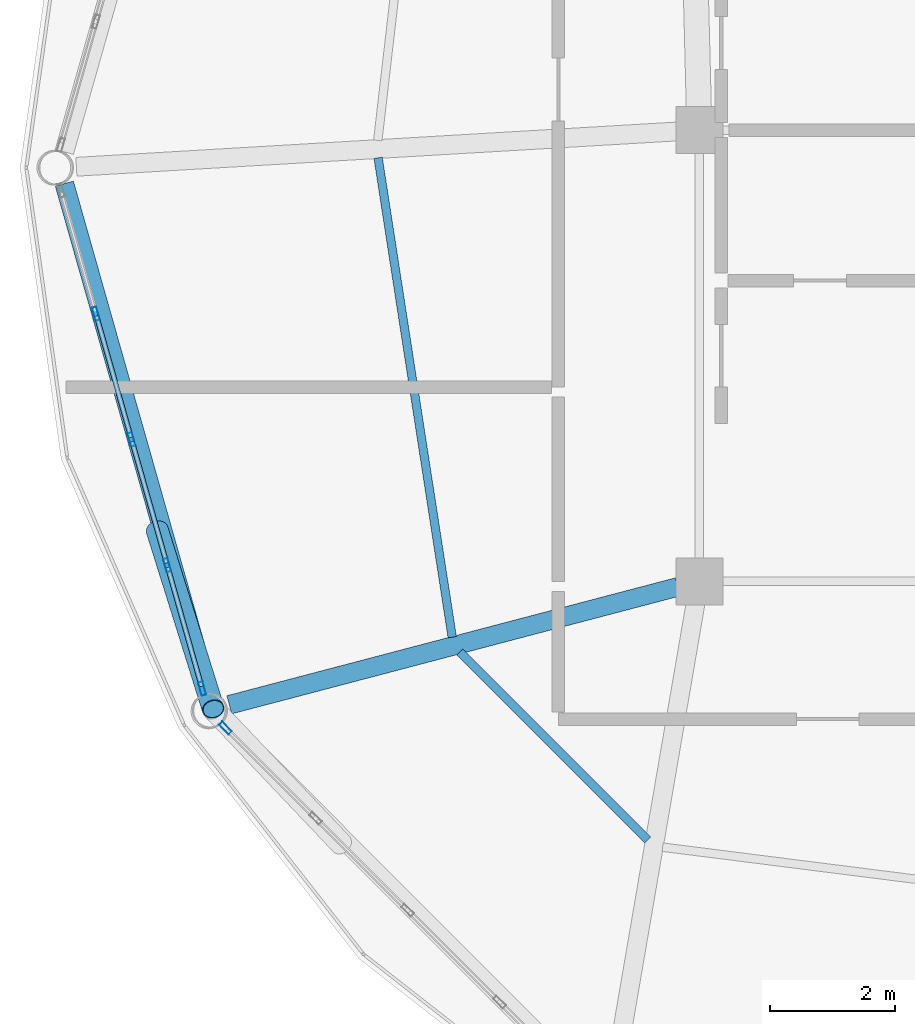
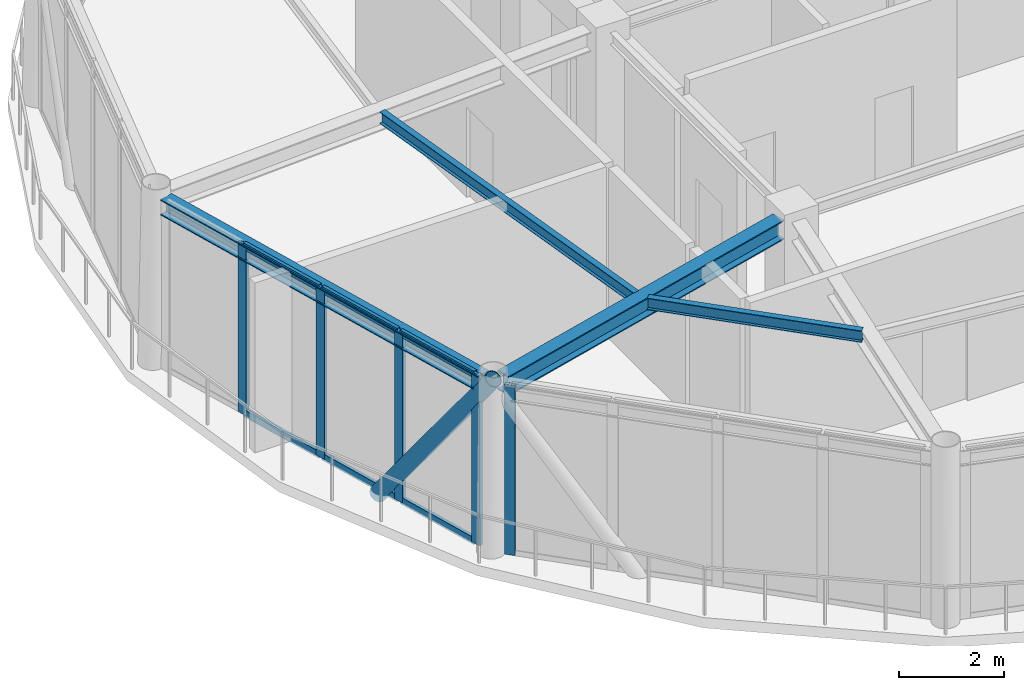
# One storey, part 3 of 20: 12 members, 4 beams, 2 elements without a shape of their own.
"""IFC4 building model written with IfcOpenShell, lengths in metres."""

from ifc_helpers import new_model, si_unit, direction, frame, origin, origin_2d, place, context, subcontext, project, spatial, hollow_rectangle, hollow_circle, i_section, extrude, material, layer, layer_set, material_profile, profile_set, type_object, element, aggregate, save


model = new_model("IFC4")

# Units and contexts
model_context = context("Model", 3, precision=1e-05, world=origin(), true_north=direction((0.0, 1.0)))
body_context = subcontext(model_context, "Body", "Model", "MODEL_VIEW")
ifc_project = project(units=[si_unit("LENGTHUNIT", "METRE"), si_unit("AREAUNIT", "SQUARE_METRE"), si_unit("VOLUMEUNIT", "CUBIC_METRE"), si_unit("PLANEANGLEUNIT", "RADIAN"), si_unit("MASSUNIT", "GRAM", prefix="KILO")], contexts=[model_context])

# Site, building, storey
site_placement = place(None, origin())
site = spatial("IfcSite", under=ifc_project, at=site_placement, CompositionType="ELEMENT")
building_placement = place(site_placement, origin())
building = spatial("IfcBuilding", under=site, at=building_placement, Name="Varnakorn Sky Granary", CompositionType="ELEMENT")
storey_placement = place(building_placement, frame((0.0, 0.0, 302.39990234375)))
storey = spatial("IfcBuildingStorey", under=building, at=storey_placement, Name="L77", CompositionType="ELEMENT", Elevation=302.39990234375)

# Beams
ifc_material_1 = material(Name="Steel S355JR", Category="steel")
ifc_material_profile_1 = material_profile(ifc_material_1, i_section(OverallWidth=0.300048828125, OverallDepth=0.449951171875, WebThickness=0.013916015625, FlangeThickness=0.02587890625, at=origin_2d()), Name="HE 450 B")
ifc_profile_set_1 = profile_set([ifc_material_profile_1], Name="Steel S355JR")
beam_type_1 = type_object("IfcBeamType", Name="BM-RAD-Z5", PredefinedType="BEAM", material=ifc_profile_set_1)
beam_1_placement = place(storey_placement, frame((-2.693359375, -6.690185546875, 3.735107421875), z_axis=(-0.967136030143, -0.254259511522, 0.0), x_axis=(0.254259511522, -0.967136030143, 0.0)))
element("IfcBeam", 1, at=beam_1_placement, inside=storey, type_object=beam_type_1, Name="Radial Floor Girder RG08 L77", PredefinedType="BEAM", context=body_context, shape_type="SweptSolid", body=[
    extrude(i_section(OverallWidth=0.300048828125, OverallDepth=0.449951171875, WebThickness=0.013916015625, FlangeThickness=0.02587890625, at=origin_2d()), origin(), (0.0, 0.0, 1.0), 7.402099609375),
])
ifc_material_profile_2 = material_profile(ifc_material_1, i_section(OverallWidth=0.135009765625, OverallDepth=0.27001953125, WebThickness=0.006591796875, FlangeThickness=0.01025390625, at=origin_2d()), Name="IPE 270")
ifc_profile_set_2 = profile_set([ifc_material_profile_2], Name="Steel S355JR")
beam_type_2 = type_object("IfcBeamType", Name="BM-SEC-Z5", PredefinedType="BEAM", material=ifc_profile_set_2)
beam_2_placement = place(storey_placement, frame((-7.477294921875, 0.158935546875, 3.8251953125), z_axis=(0.152801136267, -0.988256956847, 0.0), x_axis=(0.988256956847, 0.152801136267, 0.0)))
element("IfcBeam", 2, at=beam_2_placement, inside=storey, type_object=beam_type_2, Name="Secondary Floor Chord Beam MSB07 L77", PredefinedType="BEAM", context=body_context, shape_type="SweptSolid", body=[
    extrude(i_section(OverallWidth=0.135009765625, OverallDepth=0.27001953125, WebThickness=0.006591796875, FlangeThickness=0.01025390625, at=origin_2d()), origin(), (0.0, 0.0, 1.0), 7.74267578125),
])
beam_3_placement = place(storey_placement, frame((-6.173583984375, -7.730224609375, 3.8251953125), z_axis=(0.707250715634, -0.706962817435, 0.0), x_axis=(0.706962817435, 0.707250715634, 0.0)))
element("IfcBeam", 3, at=beam_3_placement, inside=storey, type_object=beam_type_2, Name="Secondary Floor Chord Beam MSB08 L77", PredefinedType="BEAM", context=body_context, shape_type="SweptSolid", body=[
    extrude(i_section(OverallWidth=0.135009765625, OverallDepth=0.27001953125, WebThickness=0.006591796875, FlangeThickness=0.01025390625, at=origin_2d()), origin(), (0.0, 0.0, 1.0), 4.239990234375),
])
ifc_material_profile_3 = material_profile(ifc_material_1, i_section(OverallWidth=0.300048828125, OverallDepth=0.360107421875, WebThickness=0.012451171875, FlangeThickness=0.0224609375, at=origin_2d()), Name="HE 360 B")
ifc_profile_set_3 = profile_set([ifc_material_profile_3], Name="Steel S355JR")
beam_type_3 = type_object("IfcBeamType", Name="BM-SPD-Z5", PredefinedType="SPANDREL", material=ifc_profile_set_3)
beam_4_placement = place(storey_placement, frame((-12.48486328125, -0.25439453125, 3.780029296875), z_axis=(0.272713551322, -0.962095275389, 0.0), x_axis=(0.962095275389, 0.272713551322, 0.0)))
element("IfcBeam", 4, at=beam_4_placement, inside=storey, type_object=beam_type_3, Name="Perimeter Spandrel Ring Beam RB07 L77", PredefinedType="SPANDREL", context=body_context, shape_type="SweptSolid", body=[
    extrude(i_section(OverallWidth=0.300048828125, OverallDepth=0.360107421875, WebThickness=0.012451171875, FlangeThickness=0.0224609375, at=origin_2d()), origin(), (0.0, 0.0, 1.0), 8.450927734375),
])

# Curtain wall, members
ifc_material_2 = material(Name="Anodised Bronze Aluminium Alloy 6063-T6", Category="aluminium")
ifc_layer = layer(ifc_material_2, 0.22998046875, Name="Anodised Bronze Aluminium Alloy 6063-T6")
ifc_layer_set = layer_set([ifc_layer], Name="Anodised Bronze Aluminium Alloy 6063-T6")
curtain_wall_type = type_object("IfcCurtainWallType", Name="CW-LNT-1", PredefinedType="USERDEFINED", material=ifc_layer_set)
curtain_wall_1_placement = place(storey_placement, origin())
curtain_wall_1 = element("IfcCurtainWall", 5, at=curtain_wall_1_placement, inside=storey, type_object=curtain_wall_type, Name="Unitised Curtain Wall CW7 CW-L77-B07", ObjectType="CURTAIN WALL", PredefinedType="USERDEFINED")
ifc_material_profile_4 = material_profile(ifc_material_2, hollow_rectangle(XDim=0.074951171875, YDim=0.219970703125, WallThickness=0.00390625, at=origin_2d()), Name="ALU MULL 75x220")
ifc_profile_set_4 = profile_set([ifc_material_profile_4], Name="Anodised Bronze Aluminium Alloy 6063-T6")
member_type_1 = type_object("IfcMemberType", Name="CW-LNT-1-MULL", PredefinedType="MULLION", material=ifc_profile_set_4)
member_1_placement = place(storey_placement, frame((-10.285400390625, -8.312744140625, 0.0), z_axis=(0.0, 0.0, 1.0), x_axis=(-0.962053878188, -0.272859552634, 0.0)))
member_1 = element("IfcMember", 6, at=member_1_placement, type_object=member_type_1, Name="CW7 mullion 1", PredefinedType="MULLION", context=body_context, shape_type="SweptSolid", body=[
    extrude(hollow_rectangle(XDim=0.074951171875, YDim=0.219970703125, WallThickness=0.00390625, at=origin_2d()), origin(), (0.0, 0.0, 1.0), 3.960205078125),
])
member_2_placement = place(storey_placement, frame((-10.843994140625, -6.34326171875, 0.0), z_axis=(0.0, 0.0, 1.0), x_axis=(-0.962053878188, -0.272859552634, 0.0)))
member_2 = element("IfcMember", 7, at=member_2_placement, type_object=member_type_1, Name="CW7 mullion 2", PredefinedType="MULLION", context=body_context, shape_type="SweptSolid", body=[
    extrude(hollow_rectangle(XDim=0.074951171875, YDim=0.219970703125, WallThickness=0.00390625, at=origin_2d()), origin(), (0.0, 0.0, 1.0), 3.960205078125),
])
member_3_placement = place(storey_placement, frame((-11.412841796875, -4.337646484375, 0.0), z_axis=(0.0, 0.0, 1.0), x_axis=(-0.962053878188, -0.272859552634, 0.0)))
member_3 = element("IfcMember", 8, at=member_3_placement, type_object=member_type_1, Name="CW7 mullion 3", PredefinedType="MULLION", context=body_context, shape_type="SweptSolid", body=[
    extrude(hollow_rectangle(XDim=0.074951171875, YDim=0.219970703125, WallThickness=0.00390625, at=origin_2d()), origin(), (0.0, 0.0, 1.0), 3.960205078125),
])
member_4_placement = place(storey_placement, frame((-11.981689453125, -2.332275390625, 0.0), z_axis=(0.0, 0.0, 1.0), x_axis=(-0.962053878188, -0.272859552634, 0.0)))
member_4 = element("IfcMember", 9, at=member_4_placement, type_object=member_type_1, Name="CW7 mullion 4", PredefinedType="MULLION", context=body_context, shape_type="SweptSolid", body=[
    extrude(hollow_rectangle(XDim=0.074951171875, YDim=0.219970703125, WallThickness=0.00390625, at=origin_2d()), origin(), (0.0, 0.0, 1.0), 3.960205078125),
])

# Curtain wall, member
curtain_wall_2_placement = place(storey_placement, origin())
curtain_wall_2 = element("IfcCurtainWall", 10, at=curtain_wall_2_placement, inside=storey, type_object=curtain_wall_type, Name="Unitised Curtain Wall CW7 CW-L77-B08", ObjectType="CURTAIN WALL", PredefinedType="USERDEFINED")
member_5_placement = place(storey_placement, frame((-9.915771484375, -8.94189453125, 0.0), z_axis=(0.0, 0.0, 1.0), x_axis=(-0.706962264777, -0.707251268066, 0.0)))
member_5 = element("IfcMember", 11, at=member_5_placement, type_object=member_type_1, Name="CW7 mullion 5", PredefinedType="MULLION", context=body_context, shape_type="SweptSolid", body=[
    extrude(hollow_rectangle(XDim=0.074951171875, YDim=0.219970703125, WallThickness=0.00390625, at=origin_2d()), origin(), (0.0, 0.0, 1.0), 3.960205078125),
])
aggregate(curtain_wall_2, [member_5])

# Member
ifc_material_profile_5 = material_profile(ifc_material_2, hollow_rectangle(XDim=0.074951171875, YDim=0.159912109375, WallThickness=0.00390625, at=origin_2d()), Name="ALU TRAN 75x160")
ifc_profile_set_5 = profile_set([ifc_material_profile_5], Name="Anodised Bronze Aluminium Alloy 6063-T6")
member_type_2 = type_object("IfcMemberType", Name="CW-LNT-1-TRAN", PredefinedType="USERDEFINED", material=ifc_profile_set_5)
member_6_placement = place(storey_placement, frame((-10.295654296875, -8.27685546875, 0.03759765625), z_axis=(-0.272824100275, 0.962063932548, 0.0), x_axis=(-0.962063932548, -0.272824100275, 0.0)))
member_6 = element("IfcMember", 12, at=member_6_placement, type_object=member_type_2, Name="CW7 transom 1.1", ObjectType="TRANSOM", PredefinedType="USERDEFINED", context=body_context, shape_type="SweptSolid", body=[
    extrude(hollow_rectangle(XDim=0.074951171875, YDim=0.159912109375, WallThickness=0.00390625, at=origin_2d()), origin(), (0.0, 0.0, 1.0), 1.97216796875),
])

member_7_placement = place(storey_placement, frame((-10.295654296875, -8.27685546875, 3.922607421875), z_axis=(-0.272824100275, 0.962063932548, 0.0), x_axis=(-0.962063932548, -0.272824100275, 0.0)))
member_7 = element("IfcMember", 13, at=member_7_placement, type_object=member_type_2, Name="CW7 transom 1.2", ObjectType="TRANSOM", PredefinedType="USERDEFINED", context=body_context, shape_type="SweptSolid", body=[
    extrude(hollow_rectangle(XDim=0.074951171875, YDim=0.159912109375, WallThickness=0.00390625, at=origin_2d()), origin(), (0.0, 0.0, 1.0), 1.97216796875),
])

member_8_placement = place(storey_placement, frame((-10.854248046875, -6.30712890625, 0.03759765625), z_axis=(-0.272859343787, 0.962053937421, 0.0), x_axis=(-0.962053937421, -0.272859343787, 0.0)))
member_8 = element("IfcMember", 14, at=member_8_placement, type_object=member_type_2, Name="CW7 transom 2.1", ObjectType="TRANSOM", PredefinedType="USERDEFINED", context=body_context, shape_type="SweptSolid", body=[
    extrude(hollow_rectangle(XDim=0.074951171875, YDim=0.159912109375, WallThickness=0.00390625, at=origin_2d()), origin(), (0.0, 0.0, 1.0), 2.009521484375),
])

member_9_placement = place(storey_placement, frame((-10.854248046875, -6.30712890625, 3.922607421875), z_axis=(-0.272859343787, 0.962053937421, 0.0), x_axis=(-0.962053937421, -0.272859343787, 0.0)))
member_9 = element("IfcMember", 15, at=member_9_placement, type_object=member_type_2, Name="CW7 transom 2.2", ObjectType="TRANSOM", PredefinedType="USERDEFINED", context=body_context, shape_type="SweptSolid", body=[
    extrude(hollow_rectangle(XDim=0.074951171875, YDim=0.159912109375, WallThickness=0.00390625, at=origin_2d()), origin(), (0.0, 0.0, 1.0), 2.009521484375),
])

member_10_placement = place(storey_placement, frame((-11.423095703125, -4.3017578125, 0.03759765625), z_axis=(-0.272827456423, 0.962062980798, 0.0), x_axis=(-0.962062980798, -0.272827456423, 0.0)))
member_10 = element("IfcMember", 16, at=member_10_placement, type_object=member_type_2, Name="CW7 transom 3.1", ObjectType="TRANSOM", PredefinedType="USERDEFINED", context=body_context, shape_type="SweptSolid", body=[
    extrude(hollow_rectangle(XDim=0.074951171875, YDim=0.159912109375, WallThickness=0.00390625, at=origin_2d()), origin(), (0.0, 0.0, 1.0), 2.009765625),
])

member_11_placement = place(storey_placement, frame((-11.423095703125, -4.3017578125, 3.922607421875), z_axis=(-0.272827456423, 0.962062980798, 0.0), x_axis=(-0.962062980798, -0.272827456423, 0.0)))
member_11 = element("IfcMember", 17, at=member_11_placement, type_object=member_type_2, Name="CW7 transom 3.2", ObjectType="TRANSOM", PredefinedType="USERDEFINED", context=body_context, shape_type="SweptSolid", body=[
    extrude(hollow_rectangle(XDim=0.074951171875, YDim=0.159912109375, WallThickness=0.00390625, at=origin_2d()), origin(), (0.0, 0.0, 1.0), 2.009765625),
])

aggregate(curtain_wall_1, [member_1, member_2, member_3, member_4, member_6, member_7, member_8, member_9, member_10, member_11])

ifc_material_3 = material(Name="Steel S460M", Category="steel")
ifc_material_profile_6 = material_profile(ifc_material_3, hollow_circle(Radius=0.177734375, WallThickness=0.01416015625, at=origin_2d()), Name="CHS 355.6x14")
ifc_profile_set_6 = profile_set([ifc_material_profile_6], Name="Steel S460M")
member_type_3 = type_object("IfcMemberType", Name="MB-DIAG-T5", PredefinedType="BRACE", material=ifc_profile_set_6)
member_12_placement = place(storey_placement, frame((-11.002685546875, -5.78369140625, -0.1298828125), z_axis=(0.176554239831, -0.563480202811, 0.807043159588), x_axis=(0.954254705079, 0.298994912723, 0.0)))
element("IfcMember", 18, at=member_12_placement, inside=storey, type_object=member_type_3, Name="Perimeter CHS Diagrid Brace DG07 L77", PredefinedType="BRACE", context=body_context, shape_type="SweptSolid", body=[
    extrude(hollow_circle(Radius=0.177734375, WallThickness=0.01416015625, at=origin_2d()), origin(), (0.0, 0.0, 1.0), 5.06787109375),
])

save(model, "model.ifc")
